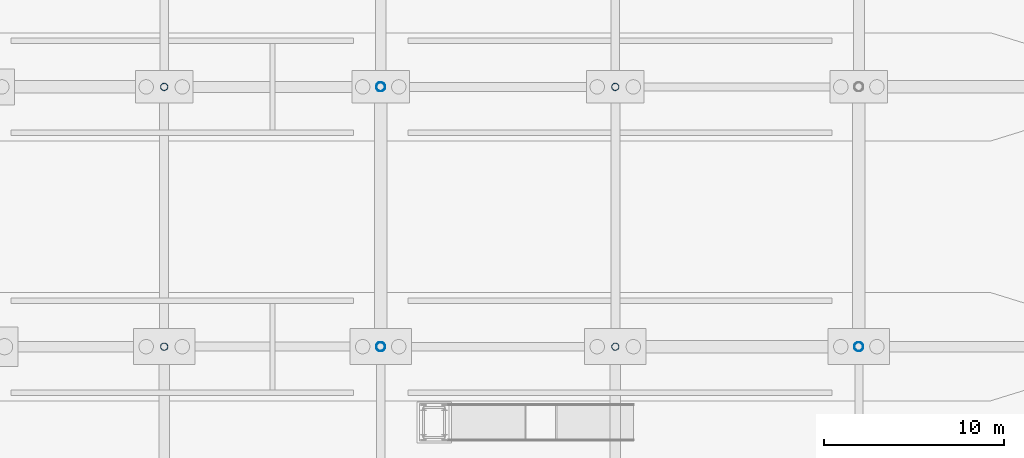
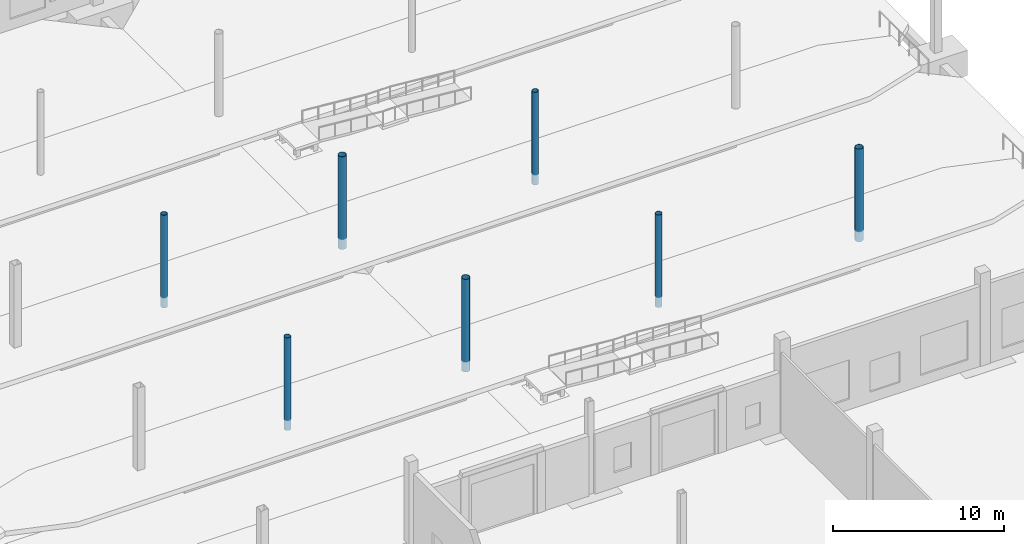
# One storey, part 27 of 115: 7 columns.
"""IFC4 building model written with IfcOpenShell, lengths in metres."""

from ifc_helpers import new_model, si_unit, direction, frame, origin, origin_2d, place, context, subcontext, project, spatial, hollow_circle, extrude, material, material_profile, profile_set, type_object, element, save


model = new_model("IFC4")

# Units and contexts
model_context = context("Model", 3, precision=1e-05, world=origin(), true_north=direction((0.0, 1.0)))
body_context = subcontext(model_context, "Body", "Model", "MODEL_VIEW")
ifc_project = project(units=[si_unit("LENGTHUNIT", "METRE"), si_unit("AREAUNIT", "SQUARE_METRE"), si_unit("VOLUMEUNIT", "CUBIC_METRE"), si_unit("PLANEANGLEUNIT", "RADIAN"), si_unit("MASSUNIT", "GRAM", prefix="KILO")], contexts=[model_context])

# Site, building, storey
site_placement = place(None, origin())
site = spatial("IfcSite", under=ifc_project, at=site_placement, CompositionType="ELEMENT")
building_placement = place(site_placement, origin())
building = spatial("IfcBuilding", under=site, at=building_placement, Name="Tamarisk Ironworks Central Station", CompositionType="ELEMENT")
storey_placement = place(building_placement, origin())
storey = spatial("IfcBuildingStorey", under=building, at=storey_placement, Name="L00", CompositionType="ELEMENT", Elevation=0.0)

# Columns
ifc_material = material(Name="Structural steel S355J2H", Category="steel")
ifc_material_profile_1 = material_profile(ifc_material, hollow_circle(Radius=0.25390625, WallThickness=0.01611328125, at=origin_2d()), Name="CHS 508x16")
ifc_profile_set_1 = profile_set([ifc_material_profile_1], Name="Structural steel S355J2H")
column_type_1 = type_object("IfcColumnType", Name="COL-S16", PredefinedType="COLUMN", material=ifc_profile_set_1)
for number, where, z_axis, x_axis, name in (
    (1, (140.0, 36.0, 0.0), (0.0, 0.0, 1.0), (1.0, 0.0, 0.0), "L00 column V1-17D"),
    (2, (140.0, 50.39990234375, 0.0), (0.0, 0.0, 1.0), (1.0, 0.0, 0.0), "L00 column V1-17E"),
    (3, (166.5, 36.0, 0.0), (0.0, 0.0, 1.0), (1.0, 0.0, 0.0), "L00 column V1-19D"),
):
    element("IfcColumn", number, at=place(storey_placement, frame(where, z_axis=z_axis, x_axis=x_axis)), inside=storey, type_object=column_type_1, Name=name, PredefinedType="COLUMN", context=body_context, shape_type="SweptSolid", body=[
        extrude(hollow_circle(Radius=0.25390625, WallThickness=0.01611328125, at=origin_2d()), origin(), (0.0, 0.0, 1.0), 6.60009765625),
    ])
ifc_material_profile_2 = material_profile(ifc_material, hollow_circle(Radius=0.203125, WallThickness=0.01416015625, at=origin_2d()), Name="CHS 406.4x14.2")
ifc_profile_set_2 = profile_set([ifc_material_profile_2], Name="Structural steel S355J2H")
column_type_2 = type_object("IfcColumnType", Name="COL-S17", PredefinedType="COLUMN", material=ifc_profile_set_2)
for number, where, z_axis, x_axis, name in (
    (4, (128.0, 36.0, 0.0), (0.0, 0.0, 1.0), (1.0, 0.0, 0.0), "L00 column V1-16D"),
    (5, (128.0, 50.39990234375, 0.0), (0.0, 0.0, 1.0), (1.0, 0.0, 0.0), "L00 column V1-16E"),
    (6, (153.0, 36.0, 0.0), (0.0, 0.0, 1.0), (1.0, 0.0, 0.0), "L00 column V1-18D"),
    (7, (153.0, 50.39990234375, 0.0), (0.0, 0.0, 1.0), (1.0, 0.0, 0.0), "L00 column V1-18E"),
):
    element("IfcColumn", number, at=place(storey_placement, frame(where, z_axis=z_axis, x_axis=x_axis)), inside=storey, type_object=column_type_2, Name=name, PredefinedType="COLUMN", context=body_context, shape_type="SweptSolid", body=[
        extrude(hollow_circle(Radius=0.203125, WallThickness=0.01416015625, at=origin_2d()), origin(), (0.0, 0.0, 1.0), 6.60009765625),
    ])

save(model, "model.ifc")
